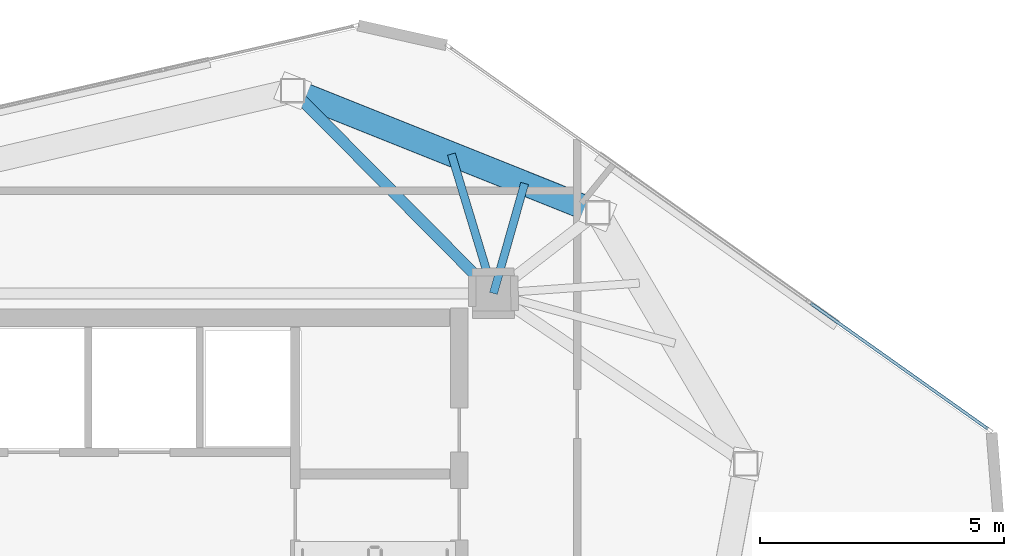
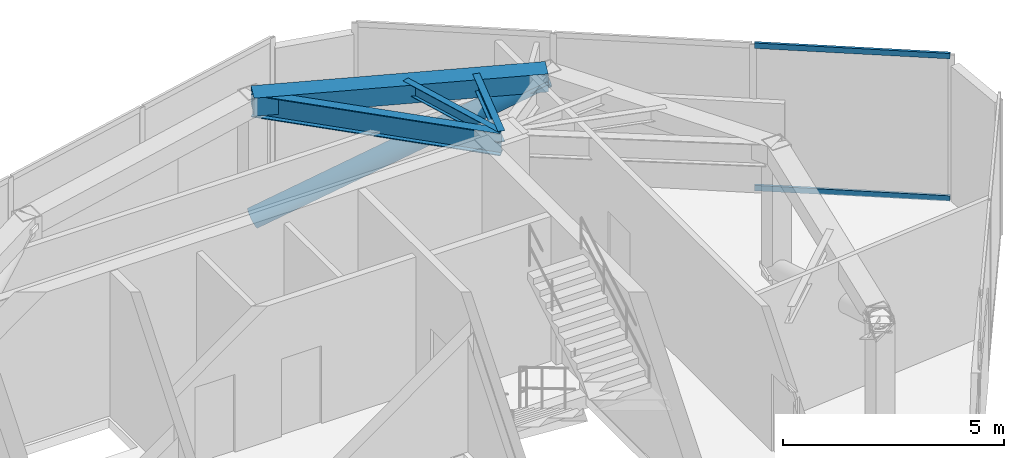
# One storey, part 14 of 21: 4 beams, 3 members, 1 element without a shape of its own.
"""IFC4 building model written with IfcOpenShell, lengths in metres."""

from ifc_helpers import new_model, si_unit, direction, frame, origin, origin_2d, place, context, subcontext, project, spatial, hollow_rectangle, hollow_circle, i_section, extrude, source, transform, mapped, material, layer, layer_set, material_profile, profile_set, type_object, type_shapes, element, aggregate, save


model = new_model("IFC4")

# Units and contexts
model_context = context("Model", 3, precision=1e-05, world=origin(), true_north=direction((0.0, 1.0)))
body_context = subcontext(model_context, "Body", "Model", "MODEL_VIEW")
ifc_project = project(units=[si_unit("LENGTHUNIT", "METRE"), si_unit("AREAUNIT", "SQUARE_METRE"), si_unit("VOLUMEUNIT", "CUBIC_METRE"), si_unit("PLANEANGLEUNIT", "RADIAN"), si_unit("MASSUNIT", "GRAM", prefix="KILO")], contexts=[model_context])

# Site, building, storey
site_placement = place(None, origin())
site = spatial("IfcSite", under=ifc_project, at=site_placement, CompositionType="ELEMENT")
building_placement = place(site_placement, origin())
building = spatial("IfcBuilding", under=site, at=building_placement, Name="Talar Marvaseh", CompositionType="ELEMENT")
storey_placement = place(building_placement, frame((0.0, 0.0, 304.0)))
storey = spatial("IfcBuildingStorey", under=building, at=storey_placement, Name="L81", CompositionType="ELEMENT", Elevation=304.0)

# Beams
ifc_material_1 = material(Name="Steel S460", Category="steel")
ifc_material_profile_1 = material_profile(ifc_material_1, hollow_rectangle(XDim=0.5, YDim=0.5, WallThickness=0.02490234375, at=origin_2d()), Name="BOX500x500x25")
ifc_profile_set_1 = profile_set([ifc_material_profile_1], Name="Steel S460")
beam_type_1 = type_object("IfcBeamType", Name="Crown Frame Top Ring Beam BOX500x500x25", PredefinedType="BEAM", material=ifc_profile_set_1)
beam_1_placement = place(storey_placement, frame((29.18798828125, 41.052001953125, 3.489990234375), z_axis=(0.928426659475, -0.371515730456, 0.0), x_axis=(0.371515730456, 0.928426659475, 0.0)))
element("IfcBeam", 1, at=beam_1_placement, inside=storey, type_object=beam_type_1, Name="L81 Crown Frame Top Ring Beam BOX500x500x25", PredefinedType="BEAM", context=body_context, shape_type="SweptSolid", body=[
    extrude(hollow_rectangle(XDim=0.5, YDim=0.5, WallThickness=0.02490234375, at=origin_2d()), origin(), (0.0, 0.0, 1.0), 6.73193359375),
])
ifc_material_2 = material(Name="Steel S355", Category="steel")
ifc_material_profile_2 = material_profile(ifc_material_2, i_section(OverallWidth=0.166015625, OverallDepth=0.31298828125, WebThickness=0.006591796875, FlangeThickness=0.01123046875, at=origin_2d()), Name="W310x45")
ifc_profile_set_2 = profile_set([ifc_material_profile_2], Name="Steel S355")
beam_type_2 = type_object("IfcBeamType", Name="Zone 3 Secondary Floor Joist W310x45", PredefinedType="JOIST", material=ifc_profile_set_2)
beam_2_placement = place(storey_placement, frame((32.43798828125, 39.75146484375, 3.58349609375), z_axis=(0.289377277289, -0.957215122837, 0.0), x_axis=(0.957215122837, 0.289377277289, 0.0)))
element("IfcBeam", 2, at=beam_2_placement, inside=storey, type_object=beam_type_2, Name="L81 Zone 3 Secondary Floor Joist W310x45", PredefinedType="JOIST", context=body_context, shape_type="SweptSolid", body=[
    extrude(i_section(OverallWidth=0.166015625, OverallDepth=0.31298828125, WebThickness=0.006591796875, FlangeThickness=0.01123046875, at=origin_2d()), origin(), (0.0, 0.0, 1.0), 2.97900390625),
])
beam_3_placement = place(storey_placement, frame((33.93798828125, 39.151123046875, 3.58349609375), z_axis=(-0.272639596879, -0.962116235293, 0.0), x_axis=(0.962116235293, -0.272639596879, 0.0)))
element("IfcBeam", 3, at=beam_3_placement, inside=storey, type_object=beam_type_2, Name="L81 Zone 3 Secondary Floor Joist W310x45", PredefinedType="JOIST", context=body_context, shape_type="SweptSolid", body=[
    extrude(i_section(OverallWidth=0.166015625, OverallDepth=0.31298828125, WebThickness=0.006591796875, FlangeThickness=0.01123046875, at=origin_2d()), origin(), (0.0, 0.0, 1.0), 2.33984375),
])
ifc_material_profile_3 = material_profile(ifc_material_2, i_section(OverallWidth=0.22998046875, OverallDepth=0.616943359375, WebThickness=0.01318359375, FlangeThickness=0.022216796875, at=origin_2d()), Name="W610x140")
ifc_profile_set_3 = profile_set([ifc_material_profile_3], Name="Steel S355")
beam_type_3 = type_object("IfcBeamType", Name="Zone 4 Radial Floor Girder W610x140", PredefinedType="BEAM", material=ifc_profile_set_3)
beam_4_placement = place(storey_placement, frame((29.18798828125, 41.052001953125, 3.431396484375), z_axis=(0.703672658083, -0.710524306598, 0.0), x_axis=(0.710524306598, 0.703672658083, 0.0)))
element("IfcBeam", 4, at=beam_4_placement, inside=storey, type_object=beam_type_3, Name="L81 Zone 4 Radial Floor Girder W610x140", PredefinedType="BEAM", context=body_context, shape_type="SweptSolid", body=[
    extrude(i_section(OverallWidth=0.22998046875, OverallDepth=0.616943359375, WebThickness=0.01318359375, FlangeThickness=0.022216796875, at=origin_2d()), origin(), (0.0, 0.0, 1.0), 5.84375),
])

# Member
ifc_material_profile_4 = material_profile(ifc_material_1, hollow_circle(Radius=0.25390625, WallThickness=0.02001953125, at=origin_2d()), Name="CHS508x20")
ifc_profile_set_4 = profile_set([ifc_material_profile_4], Name="Steel S460")
member_type_1 = type_object("IfcMemberType", Name="Crown Frame Diagonal Brace CHS508x20", PredefinedType="BRACE", material=ifc_profile_set_4)
shared_shape_1 = source(origin(), body_context, "Body", "SweptSolid", [
    extrude(hollow_circle(Radius=0.25390625, WallThickness=0.02001953125, at=origin_2d()), origin(), (0.0, 0.0, 1.0), 7.470947265625),
])
type_shapes(member_type_1, [shared_shape_1])
member_1_placement = place(storey_placement, frame((29.18798828125, 41.052001953125, 0.25), z_axis=(0.836574961604, -0.334760699479, 0.433679152947), x_axis=(0.371515730456, 0.928426659475, 0.0)))
element("IfcMember", 5, at=member_1_placement, inside=storey, type_object=member_type_1, Name="L81 Crown Frame Diagonal Brace 5", PredefinedType="BRACE", context=body_context, shape_type="MappedRepresentation", body=[
    mapped(shared_shape_1, transform((0.0, 0.0, 0.0), x_axis=(1.0, 0.0, 0.0), y_axis=(0.0, 1.0, 0.0), z_axis=(0.0, 0.0, 1.0), scale=1.0)),
])

# Curtain wall, members
ifc_material_3 = material(Name="Architectural Aluminium", Category="aluminium")
ifc_layer = layer(ifc_material_3, 0.2099609375)
ifc_layer_set = layer_set([ifc_layer], Name="Architectural Aluminium")
curtain_wall_type = type_object("IfcCurtainWallType", Name="Crown Plant Acoustic Spandrel Curtain Wall", PredefinedType="NOTDEFINED", material=ifc_layer_set)
curtain_wall_placement = place(storey_placement, origin())
curtain_wall = element("IfcCurtainWall", 6, at=curtain_wall_placement, inside=storey, type_object=curtain_wall_type, Name="L81 Crown Plant Acoustic Spandrel Curtain Wall", PredefinedType="NOTDEFINED")
ifc_material_profile_5 = material_profile(ifc_material_3, hollow_rectangle(XDim=0.06494140625, YDim=0.14990234375, WallThickness=0.00390625, at=origin_2d()), Name="RHS150x65x4")
ifc_profile_set_5 = profile_set([ifc_material_profile_5], Name="Architectural Aluminium")
member_type_2 = type_object("IfcMemberType", Name="Unitised Curtain Wall Slim Transom RHS150x65x4", PredefinedType="USERDEFINED", material=ifc_profile_set_5)
shared_shape_2 = source(origin(), body_context, "Body", "SweptSolid", [
    extrude(hollow_rectangle(XDim=0.06494140625, YDim=0.14990234375, WallThickness=0.00390625, at=origin_2d()), origin(), (0.0, 0.0, 1.0), 4.447265625),
])
type_shapes(member_type_2, [shared_shape_2])
member_2_placement = place(storey_placement, frame((39.798583984375, 36.6962890625, 0.032470703125), z_axis=(0.815672602839, -0.578513789791, 0.0), x_axis=(0.578513789791, 0.815672602839, 0.0)))
member_2 = element("IfcMember", 7, at=member_2_placement, type_object=member_type_2, Name="CW-CRN transom 3.1", ObjectType="TRANSOM", PredefinedType="USERDEFINED", context=body_context, shape_type="MappedRepresentation", body=[
    mapped(shared_shape_2, transform((0.0, 0.0, 0.0), x_axis=(1.0, 0.0, 0.0), y_axis=(0.0, 1.0, 0.0), z_axis=(0.0, 0.0, 1.0), scale=1.0)),
])
member_3_placement = place(storey_placement, frame((39.798583984375, 36.6962890625, 3.967529296875), z_axis=(0.815672602839, -0.578513789791, 0.0), x_axis=(0.578513789791, 0.815672602839, 0.0)))
member_3 = element("IfcMember", 8, at=member_3_placement, type_object=member_type_2, Name="CW-CRN transom 3.2", ObjectType="TRANSOM", PredefinedType="USERDEFINED", context=body_context, shape_type="MappedRepresentation", body=[
    mapped(shared_shape_2, transform((0.0, 0.0, 0.0), x_axis=(1.0, 0.0, 0.0), y_axis=(0.0, 1.0, 0.0), z_axis=(0.0, 0.0, 1.0), scale=1.0)),
])
aggregate(curtain_wall, [member_2, member_3])

save(model, "model.ifc")
